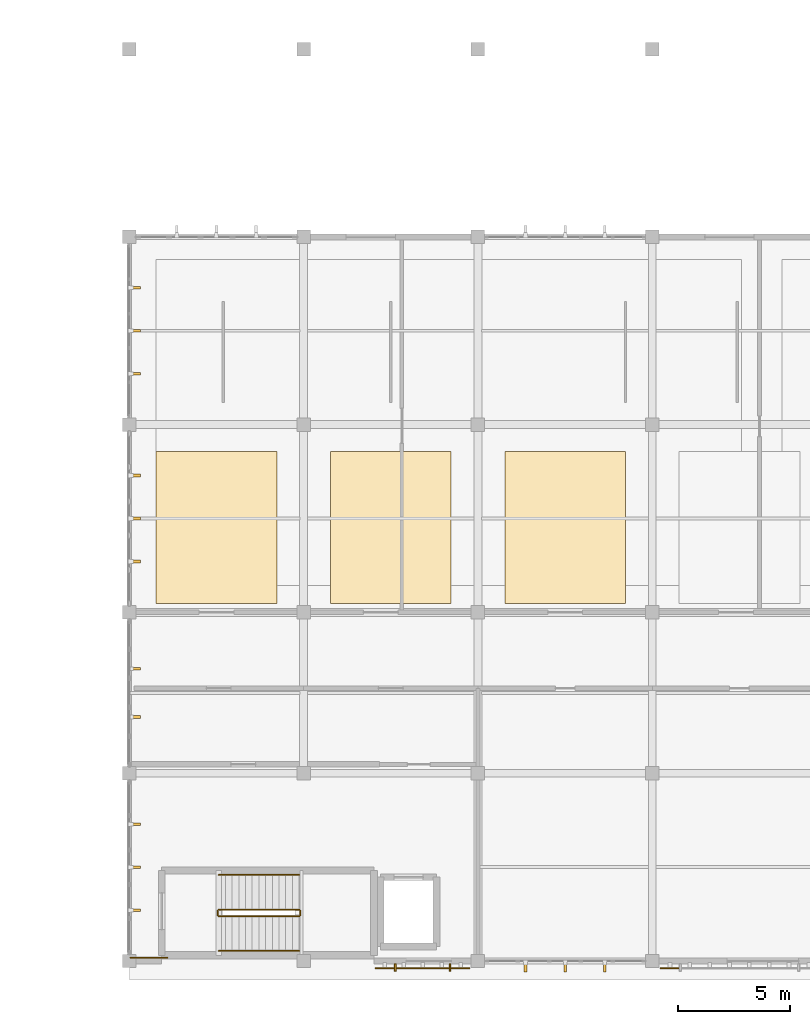
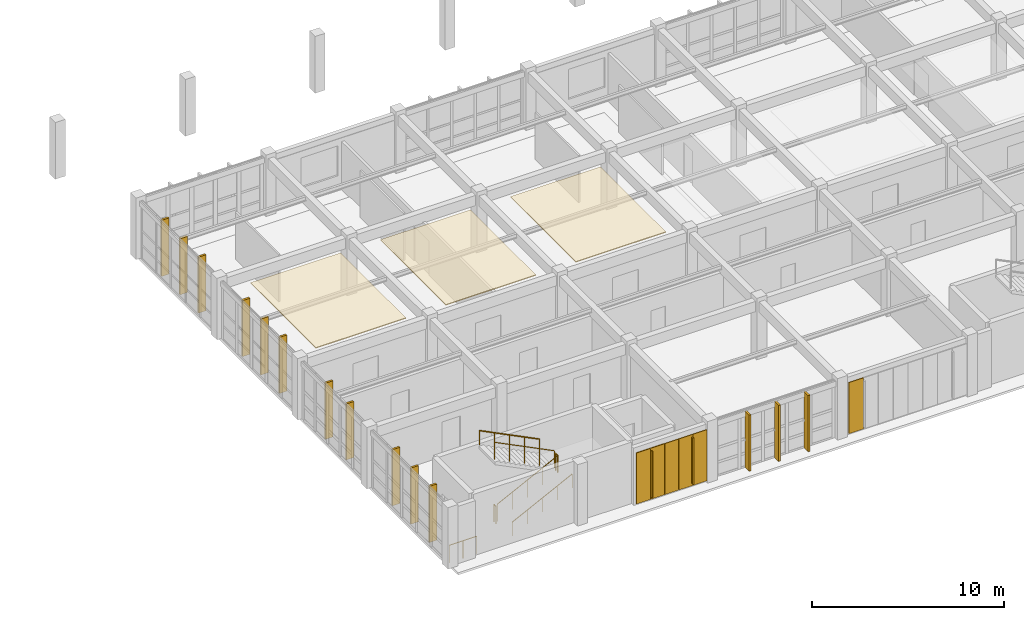
# One storey, part 54 of 67: 23 coverings, 7 railings, 2 shading devices.
"""IFC4 building model written with IfcOpenShell, lengths in metres."""

from ifc_helpers import new_model, si_unit, direction, frame, origin, origin_2d, place, context, subcontext, project, spatial, polyline, rectangle, circle, outline, extrude, material, layer, layer_set, type_object, element, save


model = new_model("IFC4")

# Units and contexts
model_context = context("Model", 3, precision=1e-05, world=origin(), true_north=direction((0.0, 1.0)))
body_context = subcontext(model_context, "Body", "Model", "MODEL_VIEW")
ifc_project = project(units=[si_unit("LENGTHUNIT", "METRE"), si_unit("AREAUNIT", "SQUARE_METRE"), si_unit("VOLUMEUNIT", "CUBIC_METRE"), si_unit("PLANEANGLEUNIT", "RADIAN"), si_unit("MASSUNIT", "GRAM", prefix="KILO")], contexts=[model_context])

# Site, building, storey
site_placement = place(None, origin())
site = spatial("IfcSite", under=ifc_project, at=site_placement, CompositionType="ELEMENT")
building_placement = place(site_placement, origin())
building = spatial("IfcBuilding", under=site, at=building_placement, Name="Tizgana Railside Sports Hall", CompositionType="ELEMENT")
storey_placement = place(building_placement, frame((0.0, 0.0, 12.0)))
storey = spatial("IfcBuildingStorey", under=building, at=storey_placement, Name="L02", CompositionType="ELEMENT", Elevation=12.0)

# Shading devices
ifc_material_1 = material(Name="Glulam GL28h", Category="wood")
shading_device_type = type_object("IfcShadingDeviceType", Name="Glulam Vertical Brise-Soleil Fin 320", PredefinedType="JALOUSIE", material=ifc_material_1)
for number, where, z_axis, x_axis, name in (
    (1, (22.14990234375, -0.2939453125, 0.35009765625), (0.0, 0.0, 1.0), (-1.0, 0.0, 0.0), "L02 Glulam Fin FIN-0037"),
    (2, (19.699951171875, -0.2939453125, 0.35009765625), (0.0, 0.0, 1.0), (-1.0, 0.0, 0.0), "L02 Glulam Fin FIN-0038"),
):
    element("IfcShadingDevice", number, at=place(storey_placement, frame(where, z_axis=z_axis, x_axis=x_axis)), inside=storey, type_object=shading_device_type, Name=name, PredefinedType="JALOUSIE", context=body_context, shape_type="SweptSolid", body=[
        extrude(rectangle(XDim=0.080078125, YDim=0.320068359375, at=origin_2d()), origin(), (0.0, 0.0, 1.0), 2.93994140625),
    ])

# Coverings
ifc_layer_1 = layer(ifc_material_1, 0.139892578125, Name="Glulam GL28h")
ifc_layer_set_1 = layer_set([ifc_layer_1], Name="Glulam GL28h")
covering_type_1 = type_object("IfcCoveringType", Name="Mass-Timber Brise-Soleil & Pergola Fin", PredefinedType="CLADDING", material=ifc_layer_set_1)
for number, where, z_axis, x_axis, name in (
    (3, (29.072509765625, -0.280029296875, 0.0400390625), (0.0, 0.0, 1.0), (-1.0, 0.0, 0.0), "L02 Timber Brise-Soleil Fin"),
    (4, (27.300048828125, -0.280029296875, 0.0400390625), (0.0, 0.0, 1.0), (-1.0, 0.0, 0.0), "L02 Timber Brise-Soleil Fin"),
    (5, (25.527587890625, -0.280029296875, 0.0400390625), (0.0, 0.0, 1.0), (-1.0, 0.0, 0.0), "L02 Timber Brise-Soleil Fin"),
    (6, (8.080078125, 6.12255859375, 0.0400390625), (0.0, 0.0, 1.0), (0.0, -1.0, 0.0), "L02 Timber Brise-Soleil Fin"),
    (7, (8.080078125, 4.199951171875, 0.0400390625), (0.0, 0.0, 1.0), (0.0, -1.0, 0.0), "L02 Timber Brise-Soleil Fin"),
    (8, (8.080078125, 2.277587890625, 0.0400390625), (0.0, 0.0, 1.0), (0.0, -1.0, 0.0), "L02 Timber Brise-Soleil Fin"),
    (9, (8.080078125, 13.081787109375, 0.0400390625), (0.0, 0.0, 1.0), (0.0, -1.0, 0.0), "L02 Timber Brise-Soleil Fin"),
    (10, (8.080078125, 10.918212890625, 0.0400390625), (0.0, 0.0, 1.0), (0.0, -1.0, 0.0), "L02 Timber Brise-Soleil Fin"),
    (11, (8.080078125, 21.722412109375, 0.0400390625), (0.0, 0.0, 1.0), (0.0, -1.0, 0.0), "L02 Timber Brise-Soleil Fin"),
    (12, (8.080078125, 19.800048828125, 0.0400390625), (0.0, 0.0, 1.0), (0.0, -1.0, 0.0), "L02 Timber Brise-Soleil Fin"),
    (13, (8.080078125, 17.87744140625, 0.0400390625), (0.0, 0.0, 1.0), (0.0, -1.0, 0.0), "L02 Timber Brise-Soleil Fin"),
    (14, (8.080078125, 30.12255859375, 0.0400390625), (0.0, 0.0, 1.0), (0.0, -1.0, 0.0), "L02 Timber Brise-Soleil Fin"),
    (15, (8.080078125, 28.199951171875, 0.0400390625), (0.0, 0.0, 1.0), (0.0, -1.0, 0.0), "L02 Timber Brise-Soleil Fin"),
    (16, (8.080078125, 26.277587890625, 0.0400390625), (0.0, 0.0, 1.0), (0.0, -1.0, 0.0), "L02 Timber Brise-Soleil Fin"),
):
    element("IfcCovering", number, at=place(storey_placement, frame(where, z_axis=z_axis, x_axis=x_axis)), inside=storey, type_object=covering_type_1, Name=name, PredefinedType="CLADDING", context=body_context, shape_type="SweptSolid", body=[
        extrude(rectangle(XDim=0.1201171875, YDim=0.43994140625, at=origin_2d()), origin(), (0.0, 0.0, 1.0), 3.56005859375),
    ])
ifc_material_2 = material(Name="Anodised perforated aluminium screen", Category="aluminium")
ifc_layer_2 = layer(ifc_material_2, 0.044921875, Name="Anodised perforated aluminium screen")
ifc_layer_set_2 = layer_set([ifc_layer_2], Name="Anodised perforated aluminium screen")
covering_type_2 = type_object("IfcCoveringType", Name="Perforated Aluminium Hall Screen 900", PredefinedType="CLADDING", material=ifc_layer_set_2)
for number, where, z_axis, x_axis, name in (
    (17, (22.625, -0.31494140625, 0.2001953125), (0.0, 0.0, 1.0), (-1.0, 0.0, 0.0), "L02 Perforated Screen SCR-0557"),
    (18, (21.77490234375, -0.31494140625, 0.2001953125), (0.0, 0.0, 1.0), (-1.0, 0.0, 0.0), "L02 Perforated Screen SCR-0558"),
    (19, (20.925048828125, -0.31494140625, 0.2001953125), (0.0, 0.0, 1.0), (-1.0, 0.0, 0.0), "L02 Perforated Screen SCR-0559"),
    (20, (20.074951171875, -0.31494140625, 0.2001953125), (0.0, 0.0, 1.0), (-1.0, 0.0, 0.0), "L02 Perforated Screen SCR-0560"),
    (21, (19.22509765625, -0.31494140625, 0.2001953125), (0.0, 0.0, 1.0), (-1.0, 0.0, 0.0), "L02 Perforated Screen SCR-0561"),
):
    element("IfcCovering", number, at=place(storey_placement, frame(where, z_axis=z_axis, x_axis=x_axis)), inside=storey, type_object=covering_type_2, Name=name, PredefinedType="CLADDING", context=body_context, shape_type="SweptSolid", body=[
        extrude(rectangle(XDim=0.83203125, YDim=0.044921875, at=origin_2d()), origin(), (0.0, 0.0, 1.0), 3.239990234375),
    ])
covering_1_placement = place(storey_placement, frame((31.99365234375, -0.31494140625, 0.2001953125), z_axis=(0.0, 0.0, 1.0), x_axis=(-1.0, 0.0, 0.0)))
element("IfcCovering", 22, at=covering_1_placement, inside=storey, type_object=covering_type_2, Name="L02 Perforated Screen SCR-0569", PredefinedType="CLADDING", context=body_context, shape_type="SweptSolid", body=[
    extrude(rectangle(XDim=0.869384765625, YDim=0.044921875, at=origin_2d()), origin(), (0.0, 0.0, 1.0), 3.239990234375),
])

# Railings
ifc_material_3 = material(Name="Galvanised steel sheet", Category="steel")
railing_type_1 = type_object("IfcRailingType", Name="Safety Balustrade Guard 1100", PredefinedType="BALUSTRADE", material=ifc_material_3)
railing_1_placement = place(storey_placement, frame((11.800048828125, 2.0, 0.14990234375)))
element("IfcRailing", 23, at=railing_1_placement, inside=storey, type_object=railing_type_1, Name="L02 ST-01 stair guard 1", PredefinedType="BALUSTRADE", context=body_context, shape_type="SweptSolid", body=[
    extrude(circle(Radius=0.02392578125, at=origin_2d()), frame((0.0, 0.0, 1.076171875), z_axis=(0.894415058897, 0.0, 0.447237858884), x_axis=(0.0, 1.0, 0.0)), (0.0, 0.0, 1.0), 4.02490234375),
    extrude(circle(Radius=0.02099609375, at=origin_2d()), origin(), (0.0, 0.0, 1.0), 1.052001953125),
    extrude(circle(Radius=0.02099609375, at=origin_2d()), frame((0.89990234375, 0.0, 0.449951171875)), (0.0, 0.0, 1.0), 1.052001953125),
    extrude(circle(Radius=0.02099609375, at=origin_2d()), frame((1.7998046875, 0.0, 0.89990234375)), (0.0, 0.0, 1.0), 1.052001953125),
    extrude(circle(Radius=0.02099609375, at=origin_2d()), frame((2.699951171875, 0.0, 1.35009765625)), (0.0, 0.0, 1.0), 1.052001953125),
    extrude(circle(Radius=0.02099609375, at=origin_2d()), frame((3.599853515625, 0.0, 1.800048828125)), (0.0, 0.0, 1.0), 1.052001953125),
])
railing_2_placement = place(storey_placement, frame((15.449951171875, 2.050048828125, 1.949951171875)))
element("IfcRailing", 24, at=railing_2_placement, inside=storey, type_object=railing_type_1, Name="L02 ST-01 stair guard 2", PredefinedType="BALUSTRADE", context=body_context, shape_type="SweptSolid", body=[
    extrude(circle(Radius=0.02392578125, at=origin_2d()), frame((0.0, 0.0, 1.076171875), z_axis=(0.0, 1.0, 0.0), x_axis=(-1.0, 0.0, 0.0)), (0.0, 0.0, 1.0), 0.199951171875),
    extrude(circle(Radius=0.02099609375, at=origin_2d()), origin(), (0.0, 0.0, 1.0), 1.052001953125),
    extrude(circle(Radius=0.02099609375, at=origin_2d()), frame((0.0, 0.199951171875, 0.0)), (0.0, 0.0, 1.0), 1.052001953125),
])
railing_3_placement = place(storey_placement, frame((15.39990234375, 2.300048828125, 2.10009765625)))
element("IfcRailing", 25, at=railing_3_placement, inside=storey, type_object=railing_type_1, Name="L02 ST-01 stair guard 3", PredefinedType="BALUSTRADE", context=body_context, shape_type="SweptSolid", body=[
    extrude(circle(Radius=0.02392578125, at=origin_2d()), frame((0.0, 0.0, 1.076171875), z_axis=(-0.894439322774, 0.0, 0.447189331129), x_axis=(0.0, -1.0, 0.0)), (0.0, 0.0, 1.0), 4.024658203125),
    extrude(circle(Radius=0.02099609375, at=origin_2d()), origin(), (0.0, 0.0, 1.0), 1.052001953125),
    extrude(circle(Radius=0.02099609375, at=origin_2d()), frame((-0.89990234375, 0.0, 0.449951171875)), (0.0, 0.0, 1.0), 1.052001953125),
    extrude(circle(Radius=0.02099609375, at=origin_2d()), frame((-1.7998046875, 0.0, 0.89990234375)), (0.0, 0.0, 1.0), 1.052001953125),
    extrude(circle(Radius=0.02099609375, at=origin_2d()), frame((-2.699951171875, 0.0, 1.349853515625)), (0.0, 0.0, 1.0), 1.052001953125),
    extrude(circle(Radius=0.02099609375, at=origin_2d()), frame((-3.599853515625, 0.0, 1.7998046875)), (0.0, 0.0, 1.0), 1.052001953125),
])
railing_4_placement = place(storey_placement, frame((11.75, 2.050048828125, 0.0)))
element("IfcRailing", 26, at=railing_4_placement, inside=storey, type_object=railing_type_1, Name="L02 ST-01 stair guard 4", PredefinedType="BALUSTRADE", context=body_context, shape_type="SweptSolid", body=[
    extrude(circle(Radius=0.02392578125, at=origin_2d()), frame((0.0, 0.0, 1.076171875), z_axis=(0.0, 1.0, 0.0), x_axis=(-1.0, 0.0, 0.0)), (0.0, 0.0, 1.0), 0.199951171875),
    extrude(circle(Radius=0.02099609375, at=origin_2d()), origin(), (0.0, 0.0, 1.0), 1.052001953125),
    extrude(circle(Radius=0.02099609375, at=origin_2d()), frame((0.0, 0.199951171875, 0.0)), (0.0, 0.0, 1.0), 1.052001953125),
])

# Coverings
ifc_material_4 = material(Name="Acoustic perforated timber", Category="wood")
ifc_layer_3 = layer(ifc_material_4, 0.054931640625, Name="Acoustic perforated timber")
ifc_layer_set_3 = layer_set([ifc_layer_3], Name="Acoustic perforated timber")
covering_type_3 = type_object("IfcCoveringType", Name="Slatted Timber Acoustic Hall Ceiling", PredefinedType="CEILING", material=ifc_layer_set_3)
covering_2_placement = place(storey_placement, frame((0.0, 0.0, 3.60009765625)))
element("IfcCovering", 27, at=covering_2_placement, inside=storey, type_object=covering_type_3, Name="L02 Acoustic Ceiling CLG-0012", PredefinedType="CEILING", context=body_context, shape_type="SweptSolid", body=[
    extrude(outline(polyline([(9.0, 16.0), (14.39990234375, 16.0), (14.39990234375, 22.800048828125), (9.0, 22.800048828125), (9.0, 16.0)])), origin(), (0.0, 0.0, 1.0), 0.054931640625),
])
covering_3_placement = place(storey_placement, frame((0.0, 0.0, 3.60009765625)))
element("IfcCovering", 28, at=covering_3_placement, inside=storey, type_object=covering_type_3, Name="L02 Acoustic Ceiling CLG-0013", PredefinedType="CEILING", context=body_context, shape_type="SweptSolid", body=[
    extrude(outline(polyline([(16.800048828125, 16.0), (22.199951171875, 16.0), (22.199951171875, 22.800048828125), (16.800048828125, 22.800048828125), (16.800048828125, 16.0)])), origin(), (0.0, 0.0, 1.0), 0.054931640625),
])
covering_4_placement = place(storey_placement, frame((0.0, 0.0, 3.60009765625)))
element("IfcCovering", 29, at=covering_4_placement, inside=storey, type_object=covering_type_3, Name="L02 Acoustic Ceiling CLG-0014", PredefinedType="CEILING", context=body_context, shape_type="SweptSolid", body=[
    extrude(outline(polyline([(24.60009765625, 16.0), (30.0, 16.0), (30.0, 22.800048828125), (24.60009765625, 22.800048828125), (24.60009765625, 16.0)])), origin(), (0.0, 0.0, 1.0), 0.054931640625),
])

# Railings
ifc_material_5 = material(Name="Brushed stainless steel", Category="steel")
railing_type_2 = type_object("IfcRailingType", Name="Stair & Ramp Wall Handrail 900", PredefinedType="HANDRAIL", material=ifc_material_5)
railing_5_placement = place(storey_placement, frame((11.800048828125, 0.449951171875, 0.14990234375)))
element("IfcRailing", 30, at=railing_5_placement, inside=storey, type_object=railing_type_2, Name="L02 ST-01 stair handrail 1", PredefinedType="HANDRAIL", context=body_context, shape_type="SweptSolid", body=[
    extrude(circle(Radius=0.02392578125, at=origin_2d()), frame((0.0, 0.0, 0.8759765625), z_axis=(0.894415058897, 0.0, 0.447237858884), x_axis=(0.0, 1.0, 0.0)), (0.0, 0.0, 1.0), 4.02490234375),
    extrude(circle(Radius=0.02099609375, at=origin_2d()), origin(), (0.0, 0.0, 1.0), 0.851806640625),
    extrude(circle(Radius=0.02099609375, at=origin_2d()), frame((0.89990234375, 0.0, 0.449951171875)), (0.0, 0.0, 1.0), 0.851806640625),
    extrude(circle(Radius=0.02099609375, at=origin_2d()), frame((1.7998046875, 0.0, 0.89990234375)), (0.0, 0.0, 1.0), 0.851806640625),
    extrude(circle(Radius=0.02099609375, at=origin_2d()), frame((2.699951171875, 0.0, 1.35009765625)), (0.0, 0.0, 1.0), 0.851806640625),
    extrude(circle(Radius=0.02099609375, at=origin_2d()), frame((3.599853515625, 0.0, 1.800048828125)), (0.0, 0.0, 1.0), 0.851806640625),
])
railing_6_placement = place(storey_placement, frame((15.39990234375, 3.85009765625, 2.10009765625)))
element("IfcRailing", 31, at=railing_6_placement, inside=storey, type_object=railing_type_2, Name="L02 ST-01 stair handrail 2", PredefinedType="HANDRAIL", context=body_context, shape_type="SweptSolid", body=[
    extrude(circle(Radius=0.02392578125, at=origin_2d()), frame((0.0, 0.0, 0.8759765625), z_axis=(-0.894439322774, 0.0, 0.447189331129), x_axis=(0.0, -1.0, 0.0)), (0.0, 0.0, 1.0), 4.024658203125),
    extrude(circle(Radius=0.02099609375, at=origin_2d()), origin(), (0.0, 0.0, 1.0), 0.851806640625),
    extrude(circle(Radius=0.02099609375, at=origin_2d()), frame((-0.89990234375, 0.0, 0.449951171875)), (0.0, 0.0, 1.0), 0.851806640625),
    extrude(circle(Radius=0.02099609375, at=origin_2d()), frame((-1.7998046875, 0.0, 0.89990234375)), (0.0, 0.0, 1.0), 0.851806640625),
    extrude(circle(Radius=0.02099609375, at=origin_2d()), frame((-2.699951171875, 0.0, 1.349853515625)), (0.0, 0.0, 1.0), 0.851806640625),
    extrude(circle(Radius=0.02099609375, at=origin_2d()), frame((-3.599853515625, 0.0, 1.7998046875)), (0.0, 0.0, 1.0), 0.851806640625),
])
ifc_material_6 = material(Name="Anodised aluminium", Category="aluminium")
railing_type_3 = type_object("IfcRailingType", Name="Terrace & Track Guard 1150", PredefinedType="BALUSTRADE", material=ifc_material_6)
railing_7_placement = place(storey_placement, frame((7.85009765625, 0.14990234375, 0.0)))
element("IfcRailing", 32, at=railing_7_placement, inside=storey, type_object=railing_type_3, Name="L02 Safety Guard GRD-0026", PredefinedType="BALUSTRADE", context=body_context, shape_type="SweptSolid", body=[
    extrude(circle(Radius=0.02392578125, at=origin_2d()), frame((0.0, 0.0, 1.1259765625), z_axis=(1.0, 0.0, 0.0), x_axis=(0.0, 1.0, 0.0)), (0.0, 0.0, 1.0), 1.64990234375),
    extrude(circle(Radius=0.02099609375, at=origin_2d()), origin(), (0.0, 0.0, 1.0), 1.101806640625),
    extrude(circle(Radius=0.02099609375, at=origin_2d()), frame((0.824951171875, 0.0, 0.0)), (0.0, 0.0, 1.0), 1.101806640625),
    extrude(circle(Radius=0.02099609375, at=origin_2d()), frame((1.64990234375, 0.0, 0.0)), (0.0, 0.0, 1.0), 1.101806640625),
])

save(model, "model.ifc")
